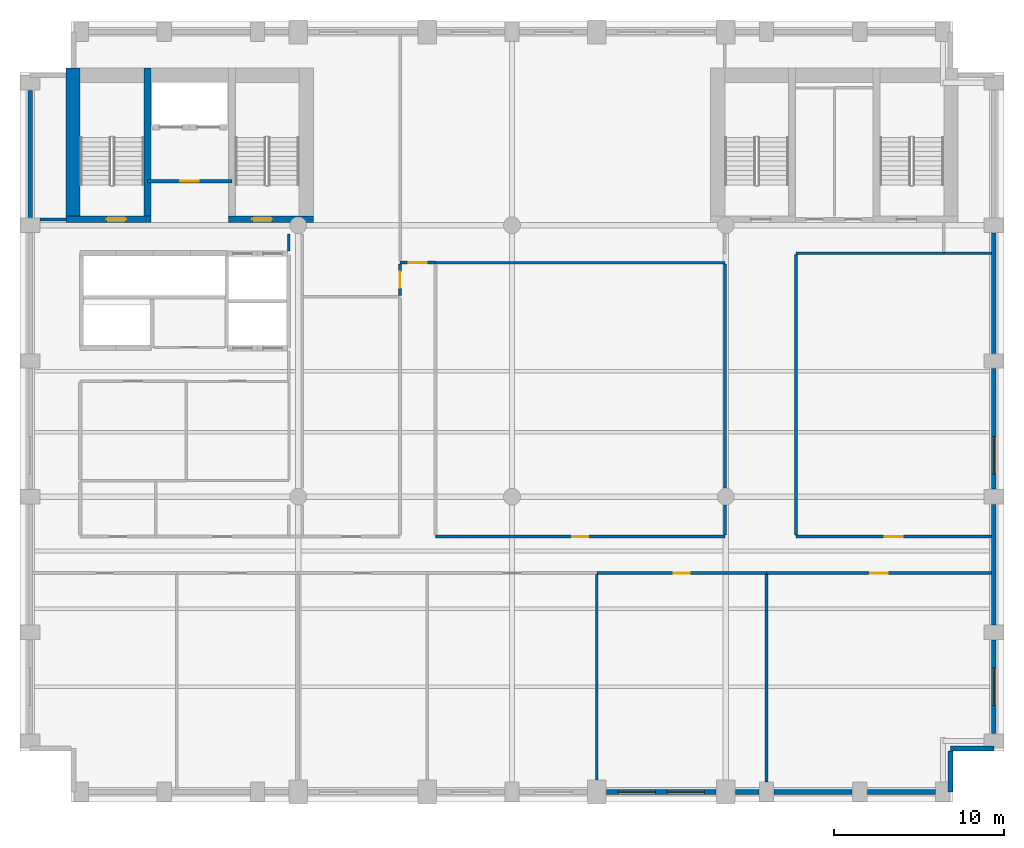
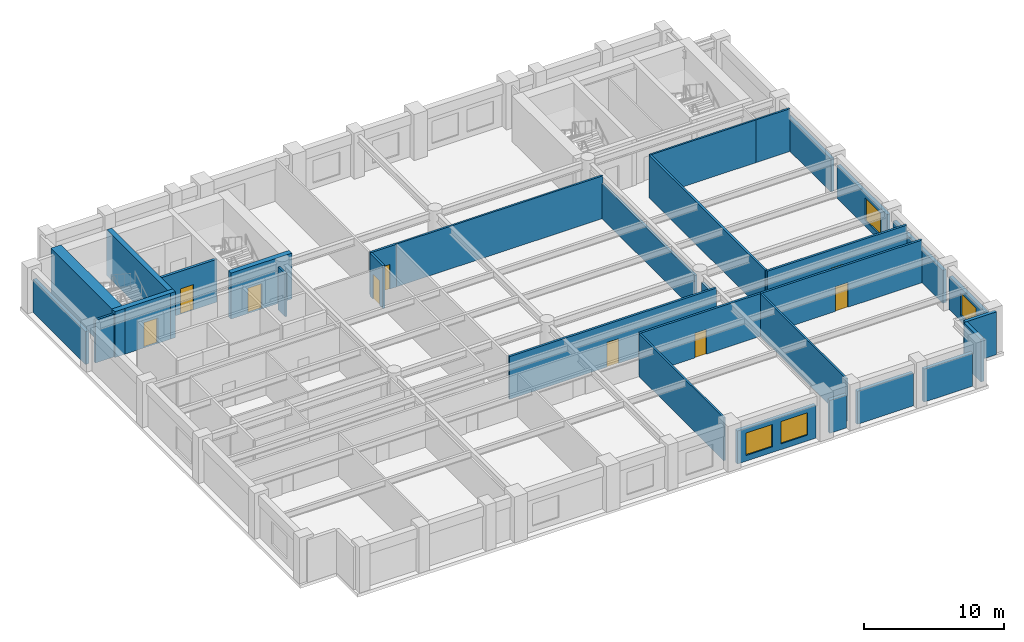
# One storey, part 4 of 8: 32 walls, 9 doors, 4 windows, 13 openings.
"""IFC4 building model written with IfcOpenShell, lengths in metres."""

from ifc_helpers import new_model, si_unit, direction, frame, frame_2d, origin, place, context, subcontext, project, spatial, rectangle, extrude, material, layer, layer_set, type_object, element, fill, save


model = new_model("IFC4")

# Units and contexts
model_context = context("Model", 3, precision=1e-05, world=origin(), true_north=direction((0.0, 1.0)))
body_context = subcontext(model_context, "Body", "Model", "MODEL_VIEW")
ifc_project = project(units=[si_unit("LENGTHUNIT", "METRE"), si_unit("AREAUNIT", "SQUARE_METRE"), si_unit("VOLUMEUNIT", "CUBIC_METRE"), si_unit("PLANEANGLEUNIT", "RADIAN"), si_unit("MASSUNIT", "GRAM", prefix="KILO")], contexts=[model_context])

# Site, building, storey
site_placement = place(None, origin())
site = spatial("IfcSite", under=ifc_project, at=site_placement, CompositionType="ELEMENT")
building_placement = place(site_placement, origin())
building = spatial("IfcBuilding", under=site, at=building_placement, Name="Sulina Concourse Tower", CompositionType="ELEMENT")
storey_placement = place(building_placement, frame((0.0, 0.0, 140.60009765625)))
storey = spatial("IfcBuildingStorey", under=building, at=storey_placement, Name="L34", CompositionType="ELEMENT", Elevation=140.60009765625)

# Wall, opening, door
ifc_material_1 = material(Name="Gypsum board on steel stud", Category="steel")
ifc_layer_1 = layer(ifc_material_1, 0.219970703125)
ifc_layer_set_1 = layer_set([ifc_layer_1], Name="Gypsum board on steel stud")
wall_type_1 = type_object("IfcWallType", Name="Fire-Rated Lobby & Compartment Wall 220mm", PredefinedType="PARTITIONING", material=ifc_layer_set_1)
wall_1_placement = place(storey_placement, frame((7.510009765625, 36.60009765625, 0.0), z_axis=(0.0, 0.0, 1.0), x_axis=(1.0, 0.0, 0.0)))
wall_1 = element("IfcWall", 1, at=wall_1_placement, inside=storey, type_object=wall_type_1, Name="L34 firefighting lobby south fire wall", PredefinedType="PARTITIONING", context=body_context, shape_type="SweptSolid", body=[
    extrude(rectangle(XDim=4.97998046875, YDim=0.219970703125, at=frame_2d((2.489990234375, 0.0))), origin(), (0.0, 0.0, 1.0), 3.724853515625),
])
opening_1_placement = place(wall_1_placement, frame((1.93994140625, 0.0, 0.0)))
opening_1 = element("IfcOpeningElement", 2, at=opening_1_placement, cuts=wall_1, Name="Opening DR-47", PredefinedType="OPENING", context=body_context, shape_type="SweptSolid", body=[
    extrude(rectangle(XDim=1.10009765625, YDim=2.199951171875, at=frame_2d((0.550048828125, 1.10009765625))), frame((0.0, 0.119873046875, 0.0), z_axis=(0.0, -1.0, 0.0), x_axis=(1.0, 0.0, 0.0)), (0.0, 0.0, 1.0), 0.239990234375),
])
ifc_material_2 = material(Name="Galvanised steel acoustic fire leaf", Category="steel")
ifc_layer_2 = layer(ifc_material_2, 0.054931640625)
ifc_layer_set_2 = layer_set([ifc_layer_2], Name="Galvanised steel acoustic fire leaf")
door_type_1 = type_object("IfcDoorType", Name="Firefighting Lobby Fire Door 1100x2200", OperationType="NOTDEFINED", PredefinedType="DOOR", material=ifc_layer_set_2)
door_1_placement = place(opening_1_placement, origin())
door_1 = element("IfcDoor", 3, at=door_1_placement, inside=storey, type_object=door_type_1, Name="L34 firefighting lobby fire door", OperationType="SINGLE_SWING_LEFT", OverallHeight=2.199951171875, OverallWidth=1.10009765625, PredefinedType="DOOR", context=body_context, shape_type="SweptSolid", body=[
    extrude(rectangle(XDim=1.10009765625, YDim=2.199951171875, at=frame_2d((0.550048828125, 1.10009765625))), frame((0.0, 0.02490234375, 0.0), z_axis=(0.0, -1.0, 0.0), x_axis=(1.0, 0.0, 0.0)), (0.0, 0.0, 1.0), 0.050048828125),
])
fill(opening_1, door_1)

# Walls
ifc_material_3 = material(Name="Gypsum board on steel stud", Category="steel")
ifc_layer_3 = layer(ifc_material_3, 0.14990234375)
ifc_layer_set_3 = layer_set([ifc_layer_3], Name="Gypsum board on steel stud")
wall_type_2 = type_object("IfcWallType", Name="Inter-Tenancy Acoustic Partition 150mm", PredefinedType="PARTITIONING", material=ifc_layer_set_3)
wall_2_placement = place(storey_placement, frame((24.5, 31.800048828125, 0.0), z_axis=(0.0, 0.0, 1.0), x_axis=(1.0, 0.0, 0.0)))
element("IfcWall", 4, at=wall_2_placement, inside=storey, type_object=wall_type_2, Name="L34 interior partition 021", PredefinedType="PARTITIONING", context=body_context, shape_type="SweptSolid", body=[
    extrude(rectangle(XDim=17.050048828125, YDim=0.14990234375, at=frame_2d((8.52490234375, 0.0))), origin(), (0.0, 0.0, 1.0), 3.724853515625),
])
wall_3_placement = place(storey_placement, frame((45.75, 32.35009765625, 0.0), z_axis=(0.0, 0.0, 1.0), x_axis=(1.0, 0.0, 0.0)))
element("IfcWall", 5, at=wall_3_placement, inside=storey, type_object=wall_type_2, Name="L34 interior partition 022", PredefinedType="PARTITIONING", context=body_context, shape_type="SweptSolid", body=[
    extrude(rectangle(XDim=8.699951171875, YDim=0.14990234375, at=frame_2d((4.35009765625, 0.0))), origin(), (0.0, 0.0, 1.0), 3.724853515625),
])
wall_4_placement = place(storey_placement, frame((54.449951171875, 32.35009765625, 0.0), z_axis=(0.0, 0.0, 1.0), x_axis=(1.0, 0.0, 0.0)))
element("IfcWall", 6, at=wall_4_placement, inside=storey, type_object=wall_type_2, Name="L34 interior partition 023", PredefinedType="PARTITIONING", context=body_context, shape_type="SweptSolid", body=[
    extrude(rectangle(XDim=2.81005859375, YDim=0.14990234375, at=frame_2d((1.405029296875, 0.0))), origin(), (0.0, 0.0, 1.0), 3.724853515625),
])
wall_5_placement = place(storey_placement, frame((15.85009765625, 32.469970703125, 0.0), z_axis=(0.0, 0.0, 1.0), x_axis=(0.0, 1.0, 0.0)))
element("IfcWall", 7, at=wall_5_placement, inside=storey, type_object=wall_type_2, Name="L34 interior partition 035", PredefinedType="PARTITIONING", context=body_context, shape_type="SweptSolid", body=[
    extrude(rectangle(XDim=1.030029296875, YDim=0.14990234375, at=frame_2d((0.51513671875, 0.0))), origin(), (0.0, 0.0, 1.0), 3.724853515625),
])
wall_6_placement = place(storey_placement, frame((34.0, 1.300048828125, 0.0), z_axis=(0.0, 0.0, 1.0), x_axis=(0.0, 1.0, 0.0)))
element("IfcWall", 8, at=wall_6_placement, inside=storey, type_object=wall_type_2, Name="L34 interior partition 045", PredefinedType="PARTITIONING", context=body_context, shape_type="SweptSolid", body=[
    extrude(rectangle(XDim=12.10986328125, YDim=0.14990234375, at=frame_2d((6.054931640625, 0.0))), origin(), (0.0, 0.0, 1.0), 3.724853515625),
])
wall_7_placement = place(storey_placement, frame((44.0, 1.175048828125, 0.0), z_axis=(0.0, 0.0, 1.0), x_axis=(0.0, 1.0, 0.0)))
element("IfcWall", 9, at=wall_7_placement, inside=storey, type_object=wall_type_2, Name="L34 interior partition 050", PredefinedType="PARTITIONING", context=body_context, shape_type="SweptSolid", body=[
    extrude(rectangle(XDim=12.23486328125, YDim=0.14990234375, at=frame_2d((6.117431640625, 0.0))), origin(), (0.0, 0.0, 1.0), 3.724853515625),
])

# Wall, opening, door
ifc_material_4 = material(Name="Gypsum board on steel stud", Category="steel")
ifc_layer_4 = layer(ifc_material_4, 0.179931640625)
ifc_layer_set_4 = layer_set([ifc_layer_4], Name="Gypsum board on steel stud")
wall_type_3 = type_object("IfcWallType", Name="Protected Corridor & Riser Partition 180mm", PredefinedType="PARTITIONING", material=ifc_layer_set_4)
wall_8_placement = place(storey_placement, frame((34.0, 13.5, 0.0), z_axis=(0.0, 0.0, 1.0), x_axis=(1.0, 0.0, 0.0)))
wall_8 = element("IfcWall", 10, at=wall_8_placement, inside=storey, type_object=wall_type_3, Name="L34 interior partition 005", PredefinedType="PARTITIONING", context=body_context, shape_type="SweptSolid", body=[
    extrude(rectangle(XDim=10.0, YDim=0.179931640625, at=frame_2d((5.0, 0.0))), origin(), (0.0, 0.0, 1.0), 3.724853515625),
])
opening_2_placement = place(wall_8_placement, frame((4.52490234375, 0.0, 0.0)))
opening_2 = element("IfcOpeningElement", 11, at=opening_2_placement, cuts=wall_8, Name="Opening DR-19", PredefinedType="OPENING", context=body_context, shape_type="SweptSolid", body=[
    extrude(rectangle(XDim=0.949951171875, YDim=2.14990234375, at=frame_2d((0.47509765625, 1.074951171875))), frame((0.0, 0.099853515625, 0.0), z_axis=(0.0, -1.0, 0.0), x_axis=(1.0, 0.0, 0.0)), (0.0, 0.0, 1.0), 0.199951171875),
])
ifc_material_5 = material(Name="Oak-veneered acoustic timber leaf", Category="wood")
ifc_layer_5 = layer(ifc_material_5, 0.050048828125)
ifc_layer_set_5 = layer_set([ifc_layer_5], Name="Oak-veneered acoustic timber leaf")
door_type_2 = type_object("IfcDoorType", Name="Cellular Office & Meeting Door 950x2150", OperationType="NOTDEFINED", PredefinedType="DOOR", material=ifc_layer_set_5)
door_2_placement = place(opening_2_placement, origin())
door_2 = element("IfcDoor", 12, at=door_2_placement, inside=storey, type_object=door_type_2, Name="L34 interior door L34-S05", OperationType="SINGLE_SWING_RIGHT", OverallHeight=2.14990234375, OverallWidth=0.949951171875, PredefinedType="DOOR", context=body_context, shape_type="SweptSolid", body=[
    extrude(rectangle(XDim=0.949951171875, YDim=2.14990234375, at=frame_2d((0.47509765625, 1.074951171875))), frame((0.0, 0.02490234375, 0.0), z_axis=(0.0, -1.0, 0.0), x_axis=(1.0, 0.0, 0.0)), (0.0, 0.0, 1.0), 0.050048828125),
])
fill(opening_2, door_2)

wall_9_placement = place(storey_placement, frame((44.0, 13.5, 0.0), z_axis=(0.0, 0.0, 1.0), x_axis=(1.0, 0.0, 0.0)))
wall_9 = element("IfcWall", 13, at=wall_9_placement, inside=storey, type_object=wall_type_3, Name="L34 interior partition 006", PredefinedType="PARTITIONING", context=body_context, shape_type="SweptSolid", body=[
    extrude(rectangle(XDim=13.260009765625, YDim=0.179931640625, at=frame_2d((6.6298828125, 0.0))), origin(), (0.0, 0.0, 1.0), 3.724853515625),
])
opening_3_placement = place(wall_9_placement, frame((6.10498046875, 0.0, 0.0)))
opening_3 = element("IfcOpeningElement", 14, at=opening_3_placement, cuts=wall_9, Name="Opening DR-37", PredefinedType="OPENING", context=body_context, shape_type="SweptSolid", body=[
    extrude(rectangle(XDim=1.050048828125, YDim=2.14990234375, at=frame_2d((0.52490234375, 1.074951171875))), frame((0.0, 0.099853515625, 0.0), z_axis=(0.0, -1.0, 0.0), x_axis=(1.0, 0.0, 0.0)), (0.0, 0.0, 1.0), 0.199951171875),
])
ifc_material_6 = material(Name="Oak-veneered fire door leaf")
ifc_layer_6 = layer(ifc_material_6, 0.050048828125)
ifc_layer_set_6 = layer_set([ifc_layer_6], Name="Oak-veneered fire door leaf")
door_type_3 = type_object("IfcDoorType", Name="Tenant Suite Entrance Fire Door 1050x2150", OperationType="NOTDEFINED", PredefinedType="DOOR", material=ifc_layer_set_6)
door_3_placement = place(opening_3_placement, origin())
door_3 = element("IfcDoor", 15, at=door_3_placement, inside=storey, type_object=door_type_3, Name="L34 interior door L34-S06", OperationType="SINGLE_SWING_LEFT", OverallHeight=2.14990234375, OverallWidth=1.050048828125, PredefinedType="DOOR", context=body_context, shape_type="SweptSolid", body=[
    extrude(rectangle(XDim=1.050048828125, YDim=2.14990234375, at=frame_2d((0.52490234375, 1.074951171875))), frame((0.0, 0.02490234375, 0.0), z_axis=(0.0, -1.0, 0.0), x_axis=(1.0, 0.0, 0.0)), (0.0, 0.0, 1.0), 0.050048828125),
])
fill(opening_3, door_3)

wall_10_placement = place(storey_placement, frame((24.5, 15.64990234375, 0.0), z_axis=(0.0, 0.0, 1.0), x_axis=(1.0, 0.0, 0.0)))
wall_10 = element("IfcWall", 16, at=wall_10_placement, inside=storey, type_object=wall_type_3, Name="L34 interior partition 011", PredefinedType="PARTITIONING", context=body_context, shape_type="SweptSolid", body=[
    extrude(rectangle(XDim=17.050048828125, YDim=0.179931640625, at=frame_2d((8.52490234375, 0.0))), origin(), (0.0, 0.0, 1.0), 3.724853515625),
])
opening_4_placement = place(wall_10_placement, frame((8.050048828125, 0.0, 0.0)))
opening_4 = element("IfcOpeningElement", 17, at=opening_4_placement, cuts=wall_10, Name="Opening DR-19", PredefinedType="OPENING", context=body_context, shape_type="SweptSolid", body=[
    extrude(rectangle(XDim=0.949951171875, YDim=2.14990234375, at=frame_2d((0.47509765625, 1.074951171875))), frame((0.0, 0.099853515625, 0.0), z_axis=(0.0, -1.0, 0.0), x_axis=(1.0, 0.0, 0.0)), (0.0, 0.0, 1.0), 0.199951171875),
])
door_4_placement = place(opening_4_placement, origin())
door_4 = element("IfcDoor", 18, at=door_4_placement, inside=storey, type_object=door_type_2, Name="L34 interior door L34-NC3", OperationType="SINGLE_SWING_LEFT", OverallHeight=2.14990234375, OverallWidth=0.949951171875, PredefinedType="DOOR", context=body_context, shape_type="SweptSolid", body=[
    extrude(rectangle(XDim=0.949951171875, YDim=2.14990234375, at=frame_2d((0.47509765625, 1.074951171875))), frame((0.0, 0.02490234375, 0.0), z_axis=(0.0, -1.0, 0.0), x_axis=(1.0, 0.0, 0.0)), (0.0, 0.0, 1.0), 0.050048828125),
])
fill(opening_4, door_4)

wall_11_placement = place(storey_placement, frame((45.75, 15.64990234375, 0.0), z_axis=(0.0, 0.0, 1.0), x_axis=(1.0, 0.0, 0.0)))
wall_11 = element("IfcWall", 19, at=wall_11_placement, inside=storey, type_object=wall_type_3, Name="L34 interior partition 012", PredefinedType="PARTITIONING", context=body_context, shape_type="SweptSolid", body=[
    extrude(rectangle(XDim=11.510009765625, YDim=0.179931640625, at=frame_2d((5.7548828125, 0.0))), origin(), (0.0, 0.0, 1.0), 3.724853515625),
])
opening_5_placement = place(wall_11_placement, frame((5.22998046875, 0.0, 0.0)))
opening_5 = element("IfcOpeningElement", 20, at=opening_5_placement, cuts=wall_11, Name="Opening DR-37", PredefinedType="OPENING", context=body_context, shape_type="SweptSolid", body=[
    extrude(rectangle(XDim=1.050048828125, YDim=2.14990234375, at=frame_2d((0.52490234375, 1.074951171875))), frame((0.0, 0.099853515625, 0.0), z_axis=(0.0, -1.0, 0.0), x_axis=(1.0, 0.0, 0.0)), (0.0, 0.0, 1.0), 0.199951171875),
])
door_5_placement = place(opening_5_placement, origin())
door_5 = element("IfcDoor", 21, at=door_5_placement, inside=storey, type_object=door_type_3, Name="L34 interior door L34-NE1", OperationType="SINGLE_SWING_RIGHT", OverallHeight=2.14990234375, OverallWidth=1.050048828125, PredefinedType="DOOR", context=body_context, shape_type="SweptSolid", body=[
    extrude(rectangle(XDim=1.050048828125, YDim=2.14990234375, at=frame_2d((0.52490234375, 1.074951171875))), frame((0.0, 0.02490234375, 0.0), z_axis=(0.0, -1.0, 0.0), x_axis=(1.0, 0.0, 0.0)), (0.0, 0.0, 1.0), 0.050048828125),
])
fill(opening_5, door_5)

wall_12_placement = place(storey_placement, frame((22.39990234375, 31.800048828125, 0.0), z_axis=(0.0, 0.0, 1.0), x_axis=(1.0, 0.0, 0.0)))
wall_12 = element("IfcWall", 22, at=wall_12_placement, inside=storey, type_object=wall_type_3, Name="L34 interior partition 020", PredefinedType="PARTITIONING", context=body_context, shape_type="SweptSolid", body=[
    extrude(rectangle(XDim=2.10009765625, YDim=0.179931640625, at=frame_2d((1.050048828125, 0.0))), origin(), (0.0, 0.0, 1.0), 3.724853515625),
])
opening_6_placement = place(wall_12_placement, frame((0.52490234375, 0.0, 0.0)))
opening_6 = element("IfcOpeningElement", 23, at=opening_6_placement, cuts=wall_12, Name="Opening DR-37", PredefinedType="OPENING", context=body_context, shape_type="SweptSolid", body=[
    extrude(rectangle(XDim=1.050048828125, YDim=2.14990234375, at=frame_2d((0.52490234375, 1.074951171875))), frame((0.0, 0.099853515625, 0.0), z_axis=(0.0, -1.0, 0.0), x_axis=(1.0, 0.0, 0.0)), (0.0, 0.0, 1.0), 0.199951171875),
])
door_6_placement = place(opening_6_placement, origin())
door_6 = element("IfcDoor", 24, at=door_6_placement, inside=storey, type_object=door_type_3, Name="L34 interior door L34-NC4", OperationType="SINGLE_SWING_RIGHT", OverallHeight=2.14990234375, OverallWidth=1.050048828125, PredefinedType="DOOR", context=body_context, shape_type="SweptSolid", body=[
    extrude(rectangle(XDim=1.050048828125, YDim=2.14990234375, at=frame_2d((0.52490234375, 1.074951171875))), frame((0.0, 0.02490234375, 0.0), z_axis=(0.0, -1.0, 0.0), x_axis=(1.0, 0.0, 0.0)), (0.0, 0.0, 1.0), 0.050048828125),
])
fill(opening_6, door_6)

# Wall
wall_13_placement = place(storey_placement, frame((1.175048828125, 34.35009765625, 0.0), z_axis=(0.0, 0.0, 1.0), x_axis=(1.0, 0.0, 0.0)))
element("IfcWall", 25, at=wall_13_placement, inside=storey, type_object=wall_type_3, Name="L34 interior partition 024", PredefinedType="PARTITIONING", context=body_context, shape_type="SweptSolid", body=[
    extrude(rectangle(XDim=1.52490234375, YDim=0.179931640625, at=frame_2d((0.762451171875, 0.0))), origin(), (0.0, 0.0, 1.0), 3.724853515625),
])

# Wall, opening, door
wall_14_placement = place(storey_placement, frame((22.39990234375, 29.875, 0.0), z_axis=(0.0, 0.0, 1.0), x_axis=(0.0, 1.0, 0.0)))
wall_14 = element("IfcWall", 26, at=wall_14_placement, inside=storey, type_object=wall_type_3, Name="L34 interior partition 041", PredefinedType="PARTITIONING", context=body_context, shape_type="SweptSolid", body=[
    extrude(rectangle(XDim=1.8349609375, YDim=0.179931640625, at=frame_2d((0.91748046875, 0.0))), origin(), (0.0, 0.0, 1.0), 3.724853515625),
])
opening_7_placement = place(wall_14_placement, frame((0.4423828125, 0.0, 0.0)))
opening_7 = element("IfcOpeningElement", 27, at=opening_7_placement, cuts=wall_14, Name="Opening DR-19", PredefinedType="OPENING", context=body_context, shape_type="SweptSolid", body=[
    extrude(rectangle(XDim=0.949951171875, YDim=2.14990234375, at=frame_2d((0.47509765625, 1.074951171875))), frame((0.0, 0.099853515625, 0.0), z_axis=(0.0, -1.0, 0.0), x_axis=(1.0, 0.0, 0.0)), (0.0, 0.0, 1.0), 0.199951171875),
])
door_7_placement = place(opening_7_placement, origin())
door_7 = element("IfcDoor", 28, at=door_7_placement, inside=storey, type_object=door_type_2, Name="L34 interior door L34-NC2", OperationType="SINGLE_SWING_LEFT", OverallHeight=2.14990234375, OverallWidth=0.949951171875, PredefinedType="DOOR", context=body_context, shape_type="SweptSolid", body=[
    extrude(rectangle(XDim=0.949951171875, YDim=2.14990234375, at=frame_2d((0.47509765625, 1.074951171875))), frame((0.0, 0.02490234375, 0.0), z_axis=(0.0, -1.0, 0.0), x_axis=(1.0, 0.0, 0.0)), (0.0, 0.0, 1.0), 0.050048828125),
])
fill(opening_7, door_7)

# Walls
wall_15_placement = place(storey_placement, frame((41.550048828125, 15.739990234375, 0.0), z_axis=(0.0, 0.0, 1.0), x_axis=(0.0, 1.0, 0.0)))
element("IfcWall", 29, at=wall_15_placement, inside=storey, type_object=wall_type_3, Name="L34 interior partition 046", PredefinedType="PARTITIONING", context=body_context, shape_type="SweptSolid", body=[
    extrude(rectangle(XDim=1.760009765625, YDim=0.179931640625, at=frame_2d((0.8798828125, 0.0))), origin(), (0.0, 0.0, 1.0), 3.06982421875),
])
wall_16_placement = place(storey_placement, frame((41.550048828125, 18.5, 0.0), z_axis=(0.0, 0.0, 1.0), x_axis=(0.0, 1.0, 0.0)))
element("IfcWall", 30, at=wall_16_placement, inside=storey, type_object=wall_type_3, Name="L34 interior partition 047", PredefinedType="PARTITIONING", context=body_context, shape_type="SweptSolid", body=[
    extrude(rectangle(XDim=13.22509765625, YDim=0.179931640625, at=frame_2d((6.612548828125, 0.0))), origin(), (0.0, 0.0, 1.0), 3.06982421875),
])
wall_17_placement = place(storey_placement, frame((45.75, 15.739990234375, 0.0), z_axis=(0.0, 0.0, 1.0), x_axis=(0.0, 1.0, 0.0)))
element("IfcWall", 31, at=wall_17_placement, inside=storey, type_object=wall_type_3, Name="L34 interior partition 051", PredefinedType="PARTITIONING", context=body_context, shape_type="SweptSolid", body=[
    extrude(rectangle(XDim=16.534912109375, YDim=0.179931640625, at=frame_2d((8.267578125, 0.0))), origin(), (0.0, 0.0, 1.0), 3.724853515625),
])

# Wall, opening, door
ifc_material_7 = material(Name="Concrete C60/75", Category="concrete")
ifc_layer_7 = layer(ifc_material_7, 0.39990234375)
ifc_layer_set_7 = layer_set([ifc_layer_7], Name="Concrete C60/75")
wall_type_4 = type_object("IfcWallType", Name="Protected Stair Core Shear Wall 400mm", PredefinedType="SHEAR", material=ifc_layer_set_7)
wall_18_placement = place(storey_placement, frame((2.699951171875, 34.35009765625, 0.0), z_axis=(0.0, 0.0, 1.0), x_axis=(1.0, 0.0, 0.0)))
wall_18 = element("IfcWall", 32, at=wall_18_placement, inside=storey, type_object=wall_type_4, Name="L34 west core shear wall CW-WS1", PredefinedType="SHEAR", context=body_context, shape_type="SweptSolid", body=[
    extrude(rectangle(XDim=5.010009765625, YDim=0.39990234375, at=frame_2d((2.5048828125, 0.0))), origin(), (0.0, 0.0, 1.0), 4.0),
])
opening_8_placement = place(wall_18_placement, frame((2.39990234375, 0.0, 0.0)))
opening_8 = element("IfcOpeningElement", 33, at=opening_8_placement, cuts=wall_18, Name="Opening DR-60", PredefinedType="OPENING", context=body_context, shape_type="SweptSolid", body=[
    extrude(rectangle(XDim=1.14990234375, YDim=2.199951171875, at=frame_2d((0.574951171875, 1.10009765625))), frame((0.0, 0.2099609375, 0.0), z_axis=(0.0, -1.0, 0.0), x_axis=(1.0, 0.0, 0.0)), (0.0, 0.0, 1.0), 0.419921875),
])
ifc_material_8 = material(Name="Galvanised steel acoustic fire leaf", Category="steel")
ifc_layer_8 = layer(ifc_material_8, 0.054931640625)
ifc_layer_set_8 = layer_set([ifc_layer_8], Name="Galvanised steel acoustic fire leaf")
door_type_4 = type_object("IfcDoorType", Name="Protected Exit Stair Fire Door 1150x2200", OperationType="NOTDEFINED", PredefinedType="DOOR", material=ifc_layer_set_8)
door_8_placement = place(opening_8_placement, origin())
door_8 = element("IfcDoor", 34, at=door_8_placement, inside=storey, type_object=door_type_4, Name="L34 stair ST-1 lobby fire door", OperationType="SINGLE_SWING_LEFT", OverallHeight=2.199951171875, OverallWidth=1.14990234375, PredefinedType="DOOR", context=body_context, shape_type="SweptSolid", body=[
    extrude(rectangle(XDim=1.14990234375, YDim=2.199951171875, at=frame_2d((0.574951171875, 1.10009765625))), frame((0.0, 0.02490234375, 0.0), z_axis=(0.0, -1.0, 0.0), x_axis=(1.0, 0.0, 0.0)), (0.0, 0.0, 1.0), 0.050048828125),
])
fill(opening_8, door_8)

wall_19_placement = place(storey_placement, frame((12.2900390625, 34.35009765625, 0.0), z_axis=(0.0, 0.0, 1.0), x_axis=(1.0, 0.0, 0.0)))
wall_19 = element("IfcWall", 35, at=wall_19_placement, inside=storey, type_object=wall_type_4, Name="L34 west core shear wall CW-WS2", PredefinedType="SHEAR", context=body_context, shape_type="SweptSolid", body=[
    extrude(rectangle(XDim=5.010009765625, YDim=0.39990234375, at=frame_2d((2.5048828125, 0.0))), origin(), (0.0, 0.0, 1.0), 4.0),
])
opening_9_placement = place(wall_19_placement, frame((1.39990234375, 0.0, 0.0)))
opening_9 = element("IfcOpeningElement", 36, at=opening_9_placement, cuts=wall_19, Name="Opening DR-60", PredefinedType="OPENING", context=body_context, shape_type="SweptSolid", body=[
    extrude(rectangle(XDim=1.14990234375, YDim=2.199951171875, at=frame_2d((0.574951171875, 1.10009765625))), frame((0.0, 0.2099609375, 0.0), z_axis=(0.0, -1.0, 0.0), x_axis=(1.0, 0.0, 0.0)), (0.0, 0.0, 1.0), 0.419921875),
])
door_9_placement = place(opening_9_placement, origin())
door_9 = element("IfcDoor", 37, at=door_9_placement, inside=storey, type_object=door_type_4, Name="L34 stair ST-2 lobby fire door", OperationType="SINGLE_SWING_RIGHT", OverallHeight=2.199951171875, OverallWidth=1.14990234375, PredefinedType="DOOR", context=body_context, shape_type="SweptSolid", body=[
    extrude(rectangle(XDim=1.14990234375, YDim=2.199951171875, at=frame_2d((0.574951171875, 1.10009765625))), frame((0.0, 0.02490234375, 0.0), z_axis=(0.0, -1.0, 0.0), x_axis=(1.0, 0.0, 0.0)), (0.0, 0.0, 1.0), 0.050048828125),
])
fill(opening_9, door_9)

# Walls
wall_20_placement = place(storey_placement, frame((7.510009765625, 34.14990234375, 0.0), z_axis=(0.0, 0.0, 1.0), x_axis=(0.0, 1.0, 0.0)))
element("IfcWall", 38, at=wall_20_placement, inside=storey, type_object=wall_type_4, Name="L34 west core shear wall SW-ST1", PredefinedType="SHEAR", context=body_context, shape_type="SweptSolid", body=[
    extrude(rectangle(XDim=9.130126953125, YDim=0.39990234375, at=frame_2d((4.56494140625, 0.0))), origin(), (0.0, 0.0, 1.0), 4.0),
])
ifc_material_9 = material(Name="Concrete C60/75", Category="concrete")
ifc_layer_9 = layer(ifc_material_9, 0.85009765625)
ifc_layer_set_9 = layer_set([ifc_layer_9], Name="Concrete C60/75")
wall_type_5 = type_object("IfcWallType", Name="Rear Core Shear Wall 850mm", PredefinedType="SHEAR", material=ifc_layer_set_9)
wall_21_placement = place(storey_placement, frame((3.125, 34.14990234375, 0.0), z_axis=(0.0, 0.0, 1.0), x_axis=(0.0, 1.0, 0.0)))
element("IfcWall", 39, at=wall_21_placement, inside=storey, type_object=wall_type_5, Name="L34 west core shear wall CW-WW", PredefinedType="SHEAR", context=body_context, shape_type="SweptSolid", body=[
    extrude(rectangle(XDim=9.130126953125, YDim=0.85009765625, at=frame_2d((4.56494140625, 0.0))), origin(), (0.0, 0.0, 1.0), 4.0),
])

# Wall, openings, windows
ifc_material_10 = material(Name="Precast concrete C50/60", Category="concrete")
ifc_layer_10 = layer(ifc_material_10, 0.280029296875)
ifc_layer_set_10 = layer_set([ifc_layer_10], Name="Precast concrete C50/60")
wall_type_6 = type_object("IfcWallType", Name="Typical Precast Masonry-Frame Facade Wall 280mm", PredefinedType="SOLIDWALL", material=ifc_layer_set_10)
wall_22_placement = place(storey_placement, frame((41.030029296875, 0.60009765625, 0.0), z_axis=(0.0, 0.0, 1.0), x_axis=(-1.0, 0.0, 0.0)))
wall_22 = element("IfcWall", 40, at=wall_22_placement, inside=storey, type_object=wall_type_6, Name="L34 exterior precast wall S7", PredefinedType="SOLIDWALL", context=body_context, shape_type="SweptSolid", body=[
    extrude(rectangle(XDim=6.4599609375, YDim=0.280029296875, at=frame_2d((3.22998046875, 0.0))), origin(), (0.0, 0.0, 1.0), 2.875),
])
opening_10_placement = place(wall_22_placement, frame((0.686767578125, 0.0, 0.5)))
opening_10 = element("IfcOpeningElement", 41, at=opening_10_placement, cuts=wall_22, Name="Opening WN-76", PredefinedType="OPENING", context=body_context, shape_type="SweptSolid", body=[
    extrude(rectangle(XDim=2.199951171875, YDim=1.949951171875, at=frame_2d((1.10009765625, 0.97509765625))), frame((0.0, 0.14990234375, 0.0), z_axis=(0.0, -1.0, 0.0), x_axis=(1.0, 0.0, 0.0)), (0.0, 0.0, 1.0), 0.300048828125),
])
opening_11_placement = place(wall_22_placement, frame((3.5732421875, 0.0, 0.5)))
opening_11 = element("IfcOpeningElement", 42, at=opening_11_placement, cuts=wall_22, Name="Opening WN-76", PredefinedType="OPENING", context=body_context, shape_type="SweptSolid", body=[
    extrude(rectangle(XDim=2.199951171875, YDim=1.949951171875, at=frame_2d((1.10009765625, 0.97509765625))), frame((0.0, 0.14990234375, 0.0), z_axis=(0.0, -1.0, 0.0), x_axis=(1.0, 0.0, 0.0)), (0.0, 0.0, 1.0), 0.300048828125),
])
ifc_material_11 = material(Name="Low-E solar double glazing in bronze aluminium", Category="aluminium")
window_type = type_object("IfcWindowType", Name="Recessed Spandrel Window 2200x1950", PartitioningType="DOUBLE_PANEL_VERTICAL", PredefinedType="WINDOW", material=ifc_material_11)
window_1_placement = place(opening_10_placement, origin())
window_1 = element("IfcWindow", 43, at=window_1_placement, inside=storey, type_object=window_type, Name="L34 punched window S7-1", OverallHeight=1.949951171875, OverallWidth=2.199951171875, PartitioningType="SINGLE_PANEL", PredefinedType="WINDOW", context=body_context, shape_type="SweptSolid", body=[
    extrude(rectangle(XDim=2.199951171875, YDim=1.949951171875, at=frame_2d((1.10009765625, 0.97509765625))), frame((0.0, 0.030029296875, 0.0), z_axis=(0.0, -1.0, 0.0), x_axis=(1.0, 0.0, 0.0)), (0.0, 0.0, 1.0), 0.06005859375),
])
fill(opening_10, window_1)
window_2_placement = place(opening_11_placement, origin())
window_2 = element("IfcWindow", 44, at=window_2_placement, inside=storey, type_object=window_type, Name="L34 punched window S7-2", OverallHeight=1.949951171875, OverallWidth=2.199951171875, PartitioningType="SINGLE_PANEL", PredefinedType="WINDOW", context=body_context, shape_type="SweptSolid", body=[
    extrude(rectangle(XDim=2.199951171875, YDim=1.949951171875, at=frame_2d((1.10009765625, 0.97509765625))), frame((0.0, 0.030029296875, 0.0), z_axis=(0.0, -1.0, 0.0), x_axis=(1.0, 0.0, 0.0)), (0.0, 0.0, 1.0), 0.06005859375),
])
fill(opening_11, window_2)

# Walls
wall_23_placement = place(storey_placement, frame((43.554931640625, 0.60009765625, 0.0), z_axis=(0.0, 0.0, 1.0), x_axis=(-1.0, 0.0, 0.0)))
element("IfcWall", 45, at=wall_23_placement, inside=storey, type_object=wall_type_6, Name="L34 exterior precast wall S8", PredefinedType="SOLIDWALL", context=body_context, shape_type="SweptSolid", body=[
    extrude(rectangle(XDim=1.385009765625, YDim=0.280029296875, at=frame_2d((0.6923828125, 0.0))), origin(), (0.0, 0.0, 1.0), 2.875),
])
wall_24_placement = place(storey_placement, frame((49.054931640625, 0.60009765625, 0.0), z_axis=(0.0, 0.0, 1.0), x_axis=(-1.0, 0.0, 0.0)))
element("IfcWall", 46, at=wall_24_placement, inside=storey, type_object=wall_type_6, Name="L34 exterior precast wall S9", PredefinedType="SOLIDWALL", context=body_context, shape_type="SweptSolid", body=[
    extrude(rectangle(XDim=4.60986328125, YDim=0.280029296875, at=frame_2d((2.304931640625, 0.0))), origin(), (0.0, 0.0, 1.0), 2.875),
])
wall_25_placement = place(storey_placement, frame((53.955078125, 0.60009765625, 0.0), z_axis=(0.0, 0.0, 1.0), x_axis=(-1.0, 0.0, 0.0)))
element("IfcWall", 47, at=wall_25_placement, inside=storey, type_object=wall_type_6, Name="L34 exterior precast wall S10", PredefinedType="SOLIDWALL", context=body_context, shape_type="SweptSolid", body=[
    extrude(rectangle(XDim=4.010009765625, YDim=0.280029296875, at=frame_2d((2.0048828125, 0.0))), origin(), (0.0, 0.0, 1.0), 2.875),
])
wall_26_placement = place(storey_placement, frame((0.60009765625, 34.445068359375, 0.0), z_axis=(0.0, 0.0, 1.0), x_axis=(0.0, 1.0, 0.0)))
element("IfcWall", 48, at=wall_26_placement, inside=storey, type_object=wall_type_6, Name="L34 exterior precast wall W5", PredefinedType="SOLIDWALL", context=body_context, shape_type="SweptSolid", body=[
    extrude(rectangle(XDim=7.510009765625, YDim=0.280029296875, at=frame_2d((3.7548828125, 0.0))), origin(), (0.0, 0.0, 1.0), 2.875),
])

# Wall, opening, window
wall_27_placement = place(storey_placement, frame((57.39990234375, 9.554931640625, 0.0), z_axis=(0.0, 0.0, 1.0), x_axis=(0.0, -1.0, 0.0)))
wall_27 = element("IfcWall", 49, at=wall_27_placement, inside=storey, type_object=wall_type_6, Name="L34 exterior precast wall E1", PredefinedType="SOLIDWALL", context=body_context, shape_type="SweptSolid", body=[
    extrude(rectangle(XDim=5.510009765625, YDim=0.280029296875, at=frame_2d((2.7548828125, 0.0))), origin(), (0.0, 0.0, 1.0), 2.875),
])
opening_12_placement = place(wall_27_placement, frame((1.655029296875, 0.0, 0.5)))
opening_12 = element("IfcOpeningElement", 50, at=opening_12_placement, cuts=wall_27, Name="Opening WN-76", PredefinedType="OPENING", context=body_context, shape_type="SweptSolid", body=[
    extrude(rectangle(XDim=2.199951171875, YDim=1.949951171875, at=frame_2d((1.10009765625, 0.97509765625))), frame((0.0, 0.14990234375, 0.0), z_axis=(0.0, -1.0, 0.0), x_axis=(1.0, 0.0, 0.0)), (0.0, 0.0, 1.0), 0.300048828125),
])
window_3_placement = place(opening_12_placement, origin())
window_3 = element("IfcWindow", 51, at=window_3_placement, inside=storey, type_object=window_type, Name="L34 punched window E1-1", OverallHeight=1.949951171875, OverallWidth=2.199951171875, PartitioningType="SINGLE_PANEL", PredefinedType="WINDOW", context=body_context, shape_type="SweptSolid", body=[
    extrude(rectangle(XDim=2.199951171875, YDim=1.949951171875, at=frame_2d((1.10009765625, 0.97509765625))), frame((0.0, 0.030029296875, 0.0), z_axis=(0.0, -1.0, 0.0), x_axis=(1.0, 0.0, 0.0)), (0.0, 0.0, 1.0), 0.06005859375),
])
fill(opening_12, window_3)

# Wall
wall_28_placement = place(storey_placement, frame((57.39990234375, 17.554931640625, 0.0), z_axis=(0.0, 0.0, 1.0), x_axis=(0.0, -1.0, 0.0)))
element("IfcWall", 52, at=wall_28_placement, inside=storey, type_object=wall_type_6, Name="L34 exterior precast wall E2", PredefinedType="SOLIDWALL", context=body_context, shape_type="SweptSolid", body=[
    extrude(rectangle(XDim=7.10986328125, YDim=0.280029296875, at=frame_2d((3.554931640625, 0.0))), origin(), (0.0, 0.0, 1.0), 2.875),
])

# Wall, opening, window
wall_29_placement = place(storey_placement, frame((57.39990234375, 25.554931640625, 0.0), z_axis=(0.0, 0.0, 1.0), x_axis=(0.0, -1.0, 0.0)))
wall_29 = element("IfcWall", 53, at=wall_29_placement, inside=storey, type_object=wall_type_6, Name="L34 exterior precast wall E3", PredefinedType="SOLIDWALL", context=body_context, shape_type="SweptSolid", body=[
    extrude(rectangle(XDim=7.10986328125, YDim=0.280029296875, at=frame_2d((3.554931640625, 0.0))), origin(), (0.0, 0.0, 1.0), 2.875),
])
opening_13_placement = place(wall_29_placement, frame((4.006591796875, 0.0, 0.5)))
opening_13 = element("IfcOpeningElement", 54, at=opening_13_placement, cuts=wall_29, Name="Opening WN-76", PredefinedType="OPENING", context=body_context, shape_type="SweptSolid", body=[
    extrude(rectangle(XDim=2.199951171875, YDim=1.949951171875, at=frame_2d((1.10009765625, 0.97509765625))), frame((0.0, 0.14990234375, 0.0), z_axis=(0.0, -1.0, 0.0), x_axis=(1.0, 0.0, 0.0)), (0.0, 0.0, 1.0), 0.300048828125),
])
window_4_placement = place(opening_13_placement, origin())
window_4 = element("IfcWindow", 55, at=window_4_placement, inside=storey, type_object=window_type, Name="L34 punched window E3-1", OverallHeight=1.949951171875, OverallWidth=2.199951171875, PartitioningType="SINGLE_PANEL", PredefinedType="WINDOW", context=body_context, shape_type="SweptSolid", body=[
    extrude(rectangle(XDim=2.199951171875, YDim=1.949951171875, at=frame_2d((1.10009765625, 0.97509765625))), frame((0.0, 0.030029296875, 0.0), z_axis=(0.0, -1.0, 0.0), x_axis=(1.0, 0.0, 0.0)), (0.0, 0.0, 1.0), 0.06005859375),
])
fill(opening_13, window_4)

# Walls
wall_30_placement = place(storey_placement, frame((57.39990234375, 33.554931640625, 0.0), z_axis=(0.0, 0.0, 1.0), x_axis=(0.0, -1.0, 0.0)))
element("IfcWall", 56, at=wall_30_placement, inside=storey, type_object=wall_type_6, Name="L34 exterior precast wall E4", PredefinedType="SOLIDWALL", context=body_context, shape_type="SweptSolid", body=[
    extrude(rectangle(XDim=7.10986328125, YDim=0.280029296875, at=frame_2d((3.554931640625, 0.0))), origin(), (0.0, 0.0, 1.0), 2.875),
])
wall_31_placement = place(storey_placement, frame((57.39990234375, 3.155029296875, 0.0), z_axis=(0.0, 0.0, 1.0), x_axis=(-1.0, 0.0, 0.0)))
element("IfcWall", 57, at=wall_31_placement, inside=storey, type_object=wall_type_6, Name="L34 exterior precast wall CSE1", PredefinedType="SOLIDWALL", context=body_context, shape_type="SweptSolid", body=[
    extrude(rectangle(XDim=2.554931640625, YDim=0.280029296875, at=frame_2d((1.27734375, 0.0))), origin(), (0.0, 0.0, 1.0), 3.724853515625),
])
wall_32_placement = place(storey_placement, frame((54.844970703125, 3.010009765625, 0.0), z_axis=(0.0, 0.0, 1.0), x_axis=(0.0, -1.0, 0.0)))
element("IfcWall", 58, at=wall_32_placement, inside=storey, type_object=wall_type_6, Name="L34 exterior precast wall CSE2", PredefinedType="SOLIDWALL", context=body_context, shape_type="SweptSolid", body=[
    extrude(rectangle(XDim=2.409912109375, YDim=0.280029296875, at=frame_2d((1.205078125, 0.0))), origin(), (0.0, 0.0, 1.0), 3.724853515625),
])

save(model, "model.ifc")
